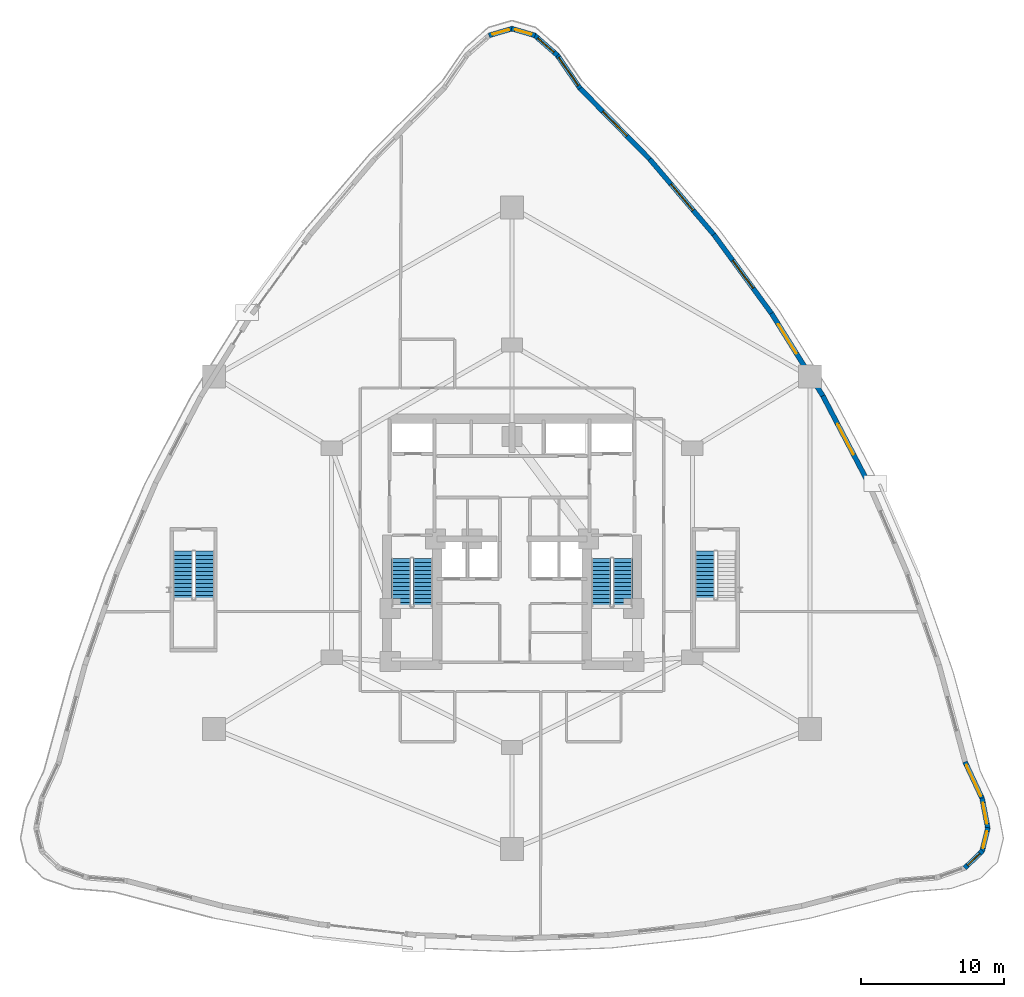
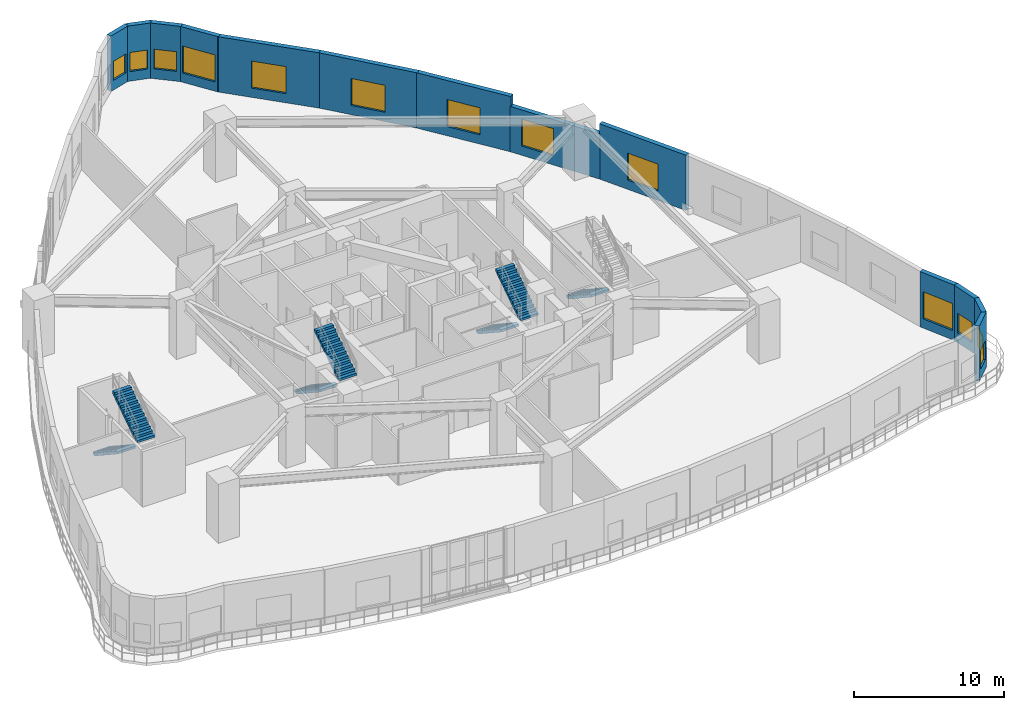
# One storey, part 18 of 23: 13 walls, 13 windows, 7 stair flights, 13 openings, 4 elements without a shape of their own.
"""IFC4 building model written with IfcOpenShell, lengths in metres."""

import ifcopenshell
import ifcopenshell.guid

model = None  # the IFC model being written
_history = None  # IfcOwnerHistory: only IFC2X3 demands one
_inside = {}  # id of a spatial element -> (the spatial element, [elements in it])
_under = {}  # id of a project, library or spatial element -> (it, [spatial elements below it])
_declared = {}  # id of a project -> (the project, [libraries it declares])
_typed = {}  # id of a type object -> (the type object, [elements of that type])
_made_of = {}  # id of a material, layer set ... -> (it, [elements and type objects made of it])


def new_model(schema):
    """Start an empty IFC model of exactly this schema.

    Asked for "IFC4X3", IfcOpenShell would pick the latest addendum, in which some entities
    have other attributes; the version numbers below select the first issue.
    IFC2X3 requires an IfcOwnerHistory on every rooted entity: one is made here for all.
    """
    global model, _history
    if schema == "IFC4X3":
        model = ifcopenshell.file(schema_version=(4, 3, 0, 0))
    else:
        model = ifcopenshell.file(schema=schema)
    _inside.clear()
    _under.clear()
    _declared.clear()
    _typed.clear()
    _made_of.clear()
    _history = None
    if model.schema == "IFC2X3":
        org = make("IfcOrganization", Name="unknown")
        user = make(
            "IfcPersonAndOrganization",
            ThePerson=make("IfcPerson", FamilyName="unknown"),
            TheOrganization=org,
        )
        app = make(
            "IfcApplication",
            ApplicationDeveloper=org,
            Version="unknown",
            ApplicationFullName="unknown",
            ApplicationIdentifier="unknown",
        )
        _history = make(
            "IfcOwnerHistory",
            OwningUser=user,
            OwningApplication=app,
            ChangeAction="ADDED",
            CreationDate=0,
        )
    return model


def make(cls, **values):
    """One entity of the class cls with the attributes given. An attribute that is None is left unset."""
    return model.create_entity(
        cls, **{name: value for name, value in values.items() if value is not None}
    )


def rooted(cls, **values):
    """An entity with a GlobalId (a new one), such as an element, a storey or a relation."""
    return make(cls, GlobalId=ifcopenshell.guid.new(), OwnerHistory=_history, **values)


def si_unit(unit_type, name, prefix=None):
    """IfcSIUnit, for example si_unit("LENGTHUNIT", "METRE", prefix="MILLI")."""
    return make("IfcSIUnit", UnitType=unit_type, Prefix=prefix, Name=name)


def assignment(units):
    """IfcUnitAssignment: the units of a project."""
    return None if units is None else make("IfcUnitAssignment", Units=units)


def point(xyz):
    """IfcCartesianPoint."""
    return None if xyz is None else make("IfcCartesianPoint", Coordinates=xyz)


def direction(xyz):
    """IfcDirection."""
    return None if xyz is None else make("IfcDirection", DirectionRatios=xyz)


def frame(location, z_axis=None, x_axis=None):
    """IfcAxis2Placement3D, a coordinate frame: its origin and axes. An axis left out is left unset."""
    return make(
        "IfcAxis2Placement3D",
        Location=point(location),
        Axis=direction(z_axis),
        RefDirection=direction(x_axis),
    )


def frame_2d(location, x_axis=None):
    """IfcAxis2Placement2D, a coordinate frame in the plane: its origin and x axis."""
    return make(
        "IfcAxis2Placement2D", Location=point(location), RefDirection=direction(x_axis)
    )


def origin():
    """The frame at (0, 0, 0) with its axes left unset."""
    return frame((0.0, 0.0, 0.0))


def place(relative_to, where):
    """IfcLocalPlacement: puts the frame where relative to a parent placement (None: the world)."""
    return make(
        "IfcLocalPlacement", PlacementRelTo=relative_to, RelativePlacement=where
    )


def context(
    kind, dimensions, precision=None, world=None, true_north=None, identifier=None
):
    """IfcGeometricRepresentationContext, for example the 3D "Model" context."""
    return make(
        "IfcGeometricRepresentationContext",
        ContextIdentifier=identifier,
        ContextType=kind,
        CoordinateSpaceDimension=dimensions,
        Precision=precision,
        WorldCoordinateSystem=world,
        TrueNorth=true_north,
    )


def subcontext(parent, identifier, kind, view, scale=None):
    """IfcGeometricRepresentationSubContext, for example "Body" below "Model"."""
    return make(
        "IfcGeometricRepresentationSubContext",
        ContextIdentifier=identifier,
        ContextType=kind,
        ParentContext=parent,
        TargetScale=scale,
        TargetView=view,
    )


def project(units=None, contexts=None):
    """IfcProject with its units and contexts."""
    return rooted(
        "IfcProject",
        Name="project",
        RepresentationContexts=contexts,
        UnitsInContext=assignment(units),
    )


def spatial(cls, under=None, at=None, **own):
    """A site, building, storey or space (cls), placed at a placement, below another one or the project."""
    s = rooted(cls, ObjectPlacement=at, **own)
    if under is not None:
        _under.setdefault(under.id(), (under, []))[1].append(s)
    return s


def polyline(points):
    """IfcPolyline through the points."""
    return make("IfcPolyline", Points=[point(p) for p in points])


def profile(cls, at=None, kind="AREA", **sizes):
    """A parametric profile (cls). Its sizes go by their IFC names, for example OverallWidth=200.0."""
    return make(cls, ProfileType=kind, Position=at, **sizes)


def rectangle(**sizes):
    """IfcRectangleProfileDef."""
    return profile("IfcRectangleProfileDef", **sizes)


def outline(outer, holes=None, kind="AREA"):
    """IfcArbitraryClosedProfileDef: a profile drawn as a closed curve; with holes, ...WithVoids."""
    if holes is None:
        return make("IfcArbitraryClosedProfileDef", ProfileType=kind, OuterCurve=outer)
    return make(
        "IfcArbitraryProfileDefWithVoids",
        ProfileType=kind,
        OuterCurve=outer,
        InnerCurves=holes,
    )


def extrude(swept, where, along, depth):
    """IfcExtrudedAreaSolid: the profile swept, set in the frame where, extruded along a direction by depth."""
    return make(
        "IfcExtrudedAreaSolid",
        SweptArea=swept,
        Position=where,
        ExtrudedDirection=direction(along),
        Depth=depth,
    )


def shape(context_of_items, identifier, shape_type, items):
    """IfcShapeRepresentation: the items that make up one representation, for example the "Body"."""
    return make(
        "IfcShapeRepresentation",
        ContextOfItems=context_of_items,
        RepresentationIdentifier=identifier,
        RepresentationType=shape_type,
        Items=items,
    )


def material(Name=None, Category=None):
    """IfcMaterial."""
    return make("IfcMaterial", Name=Name, Category=Category)


def layer(
    of_material, thickness, ventilated=None, Name=None, Category=None, Priority=None
):
    """IfcMaterialLayer: one layer of a wall or slab, of a material (None: an air gap)."""
    return make(
        "IfcMaterialLayer",
        Material=of_material,
        LayerThickness=thickness,
        IsVentilated=ventilated,
        Name=Name,
        Category=Category,
        Priority=Priority,
    )


def layer_set(layers, Name=None):
    """IfcMaterialLayerSet."""
    return make("IfcMaterialLayerSet", MaterialLayers=layers, LayerSetName=Name)


def made_of(thing, what):
    """Note that an element or type object is made of a material, layer set ...; save() writes the relation."""
    if what is not None:
        _made_of.setdefault(what.id(), (what, []))[1].append(thing)
    return thing


def type_object(cls, material=None, **own):
    """A type object (cls), such as IfcWallType, which elements share."""
    return made_of(rooted(cls, **own), material)


def element(
    cls,
    number,
    at=None,
    inside=None,
    cuts=None,
    type_object=None,
    material=None,
    context=None,
    identifier="Body",
    shape_type=None,
    held_by="IfcProductDefinitionShape",
    body=None,
    shapes=None,
    **own,
):
    """One element of the class cls, such as IfcWall. Its Tag is "e" and its number.

    at: its placement. inside: the storey or other place that contains it. cuts: it is an
    opening in that element (IfcRelVoidsElement). A single representation is given by context,
    identifier, shape_type and body (its items); several are given by shapes. held_by: the class
    of the entity that holds the representations. save() writes the other relations.
    """
    e = rooted(cls, Tag="e%d" % number, ObjectPlacement=at, **own)
    if body is not None:
        shapes = [shape(context, identifier, shape_type, body)]
    if shapes is not None:
        e.Representation = make(held_by, Representations=shapes)
    if inside is not None:
        _inside.setdefault(inside.id(), (inside, []))[1].append(e)
    if cuts is not None:
        rooted(
            "IfcRelVoidsElement", RelatingBuildingElement=cuts, RelatedOpeningElement=e
        )
    if type_object is not None:
        _typed.setdefault(type_object.id(), (type_object, []))[1].append(e)
    return made_of(e, material)


def fill(opening, filler):
    """IfcRelFillsElement: the door or window that sits in an opening."""
    return rooted(
        "IfcRelFillsElement",
        RelatingOpeningElement=opening,
        RelatedBuildingElement=filler,
    )


def aggregate(whole, parts):
    """IfcRelAggregates: a whole, such as a stair, and the parts it consists of."""
    return rooted("IfcRelAggregates", RelatingObject=whole, RelatedObjects=parts)


def save(model, path):
    """Write the relations noted so far, then the file.

    IfcRelAggregates (storeys below a building ...), IfcRelContainedInSpatialStructure (elements
    in a storey), IfcRelDefinesByType, IfcRelAssociatesMaterial and IfcRelDeclares: one each for
    every whole, place, type object, material and project.
    """
    for whole, parts in _under.values():
        aggregate(whole, parts)
    for where, things in _inside.values():
        rooted(
            "IfcRelContainedInSpatialStructure",
            RelatedElements=things,
            RelatingStructure=where,
        )
    for kind, things in _typed.values():
        rooted("IfcRelDefinesByType", RelatedObjects=things, RelatingType=kind)
    for what, things in _made_of.values():
        rooted("IfcRelAssociatesMaterial", RelatedObjects=things, RelatingMaterial=what)
    for by, libraries in _declared.values():
        rooted("IfcRelDeclares", RelatingContext=by, RelatedDefinitions=libraries)
    model.write(path)


model = new_model("IFC4")

# Units and contexts
model_context = context("Model", 3, precision=1e-05, world=origin(), true_north=direction((0.0, 1.0)))
body_context = subcontext(model_context, "Body", "Model", "MODEL_VIEW")
ifc_project = project(units=[si_unit("LENGTHUNIT", "METRE"), si_unit("AREAUNIT", "SQUARE_METRE"), si_unit("VOLUMEUNIT", "CUBIC_METRE"), si_unit("PLANEANGLEUNIT", "RADIAN"), si_unit("MASSUNIT", "GRAM", prefix="KILO")], contexts=[model_context])

# Site, building, storey
site_placement = place(None, origin())
site = spatial("IfcSite", under=ifc_project, at=site_placement, CompositionType="ELEMENT")
building_placement = place(site_placement, origin())
building = spatial("IfcBuilding", under=site, at=building_placement, Name="Miruveldt Soraemaru", CompositionType="ELEMENT")
storey_placement = place(building_placement, frame((0.0, 0.0, 14.39990234375)))
storey = spatial("IfcBuildingStorey", under=building, at=storey_placement, Name="L04", CompositionType="ELEMENT", Elevation=14.39990234375)

# Wall, opening, window
ifc_material_1 = material(Name="Precast concrete C45/55 (45 MPa)", Category="concrete")
ifc_layer = layer(ifc_material_1, 0.340087890625, Name="Precast concrete C45/55 (45 MPa)", Category="concrete")
ifc_layer_set = layer_set([ifc_layer], Name="Precast concrete C45/55 (45 MPa)")
wall_type = type_object("IfcWallType", Name="WALL-EXT-PC340", PredefinedType="SOLIDWALL", material=ifc_layer_set)
wall_1_placement = place(storey_placement, frame((48.748291015625, 75.519287109375, 0.0), z_axis=(0.0, 0.0, 1.0), x_axis=(-0.565657910094, 0.824639999484, 0.0)))
wall_1 = element("IfcWall", 1, at=wall_1_placement, inside=storey, type_object=wall_type, Name="L04 Precast Concrete Facade Wall 1", PredefinedType="SOLIDWALL", context=body_context, shape_type="SweptSolid", body=[
    extrude(rectangle(XDim=2.8564453125, YDim=0.340087890625, at=frame_2d((1.42822265625, 0.0))), origin(), (0.0, 0.0, 1.0), 4.5),
])
opening_1_placement = place(wall_1_placement, frame((0.22802734375, 0.0, 0.75)))
opening_1 = element("IfcOpeningElement", 2, at=opening_1_placement, cuts=wall_1, Name="Opening WN-5", PredefinedType="OPENING", context=body_context, shape_type="SweptSolid", body=[
    extrude(rectangle(XDim=2.39990234375, YDim=2.199951171875, at=frame_2d((1.199951171875, 1.10009765625))), frame((0.0, 0.18017578125, 0.0), z_axis=(0.0, -1.0, 0.0), x_axis=(1.0, 0.0, 0.0)), (0.0, 0.0, 1.0), 0.360107421875),
])
ifc_material_2 = material(Name="Triple low-e insulated glazing", Category="glass")
window_type_1 = type_object("IfcWindowType", Name="WIN-PODM-2400x2200", PartitioningType="SINGLE_PANEL", PredefinedType="WINDOW", material=ifc_material_2)
window_1_placement = place(opening_1_placement, origin())
window_1 = element("IfcWindow", 3, at=window_1_placement, inside=storey, type_object=window_type_1, Name="L04 Punched Triple-Glazed Window 01.1", OverallHeight=2.199951171875, OverallWidth=2.39990234375, PartitioningType="SINGLE_PANEL", PredefinedType="WINDOW", context=body_context, shape_type="SweptSolid", body=[
    extrude(rectangle(XDim=2.39990234375, YDim=2.199951171875, at=frame_2d((1.199951171875, 1.10009765625))), frame((0.0, 0.030029296875, 0.0), z_axis=(0.0, -1.0, 0.0), x_axis=(1.0, 0.0, 0.0)), (0.0, 0.0, 1.0), 0.06005859375),
])
fill(opening_1, window_1)

wall_2_placement = place(storey_placement, frame((47.1787109375, 77.82275390625, 0.0), z_axis=(0.0, 0.0, 1.0), x_axis=(-0.752688498537, 0.658376810171, 0.0)))
wall_2 = element("IfcWall", 4, at=wall_2_placement, inside=storey, type_object=wall_type, Name="L04 Precast Concrete Facade Wall 2", PredefinedType="SOLIDWALL", context=body_context, shape_type="SweptSolid", body=[
    extrude(rectangle(XDim=2.1640625, YDim=0.340087890625, at=frame_2d((1.08203125, 0.0))), origin(), (0.0, 0.0, 1.0), 4.5),
])
opening_2_placement = place(wall_2_placement, frame((0.33203125, 0.0, 0.800048828125)))
opening_2 = element("IfcOpeningElement", 5, at=opening_2_placement, cuts=wall_2, Name="Opening WN-3", PredefinedType="OPENING", context=body_context, shape_type="SweptSolid", body=[
    extrude(rectangle(XDim=1.5, YDim=1.60009765625, at=frame_2d((0.75, 0.800048828125))), frame((0.0, 0.18017578125, 0.0), z_axis=(0.0, -1.0, 0.0), x_axis=(1.0, 0.0, 0.0)), (0.0, 0.0, 1.0), 0.360107421875),
])
window_type_2 = type_object("IfcWindowType", Name="WIN-PUNCH-1500x1600", PartitioningType="SINGLE_PANEL", PredefinedType="WINDOW", material=ifc_material_2)
window_2_placement = place(opening_2_placement, origin())
window_2 = element("IfcWindow", 6, at=window_2_placement, inside=storey, type_object=window_type_2, Name="L04 Punched Triple-Glazed Window 02.1", OverallHeight=1.60009765625, OverallWidth=1.5, PartitioningType="SINGLE_PANEL", PredefinedType="WINDOW", context=body_context, shape_type="SweptSolid", body=[
    extrude(rectangle(XDim=1.5, YDim=1.60009765625, at=frame_2d((0.75, 0.800048828125))), frame((0.0, 0.030029296875, 0.0), z_axis=(0.0, -1.0, 0.0), x_axis=(1.0, 0.0, 0.0)), (0.0, 0.0, 1.0), 0.06005859375),
])
fill(opening_2, window_2)

wall_3_placement = place(storey_placement, frame((45.60986328125, 79.214599609375, 0.0), z_axis=(0.0, 0.0, 1.0), x_axis=(-0.960019163909, 0.279934286802, 0.0)))
wall_3 = element("IfcWall", 7, at=wall_3_placement, inside=storey, type_object=wall_type, Name="L04 Precast Concrete Facade Wall 3", PredefinedType="SOLIDWALL", context=body_context, shape_type="SweptSolid", body=[
    extrude(rectangle(XDim=1.7119140625, YDim=0.340087890625, at=frame_2d((0.85595703125, 0.0))), origin(), (0.0, 0.0, 1.0), 4.5),
])
opening_3_placement = place(wall_3_placement, frame((0.256103515625, 0.0, 0.780029296875)))
opening_3 = element("IfcOpeningElement", 8, at=opening_3_placement, cuts=wall_3, Name="Opening WN-4", PredefinedType="OPENING", context=body_context, shape_type="SweptSolid", body=[
    extrude(rectangle(XDim=1.199951171875, YDim=1.550048828125, at=frame_2d((0.60009765625, 0.77490234375))), frame((0.0, 0.18017578125, 0.0), z_axis=(0.0, -1.0, 0.0), x_axis=(1.0, 0.0, 0.0)), (0.0, 0.0, 1.0), 0.360107421875),
])
window_type_3 = type_object("IfcWindowType", Name="WIN-PUNCH-1200x1550", PartitioningType="SINGLE_PANEL", PredefinedType="WINDOW", material=ifc_material_2)
window_3_placement = place(opening_3_placement, origin())
window_3 = element("IfcWindow", 9, at=window_3_placement, inside=storey, type_object=window_type_3, Name="L04 Punched Triple-Glazed Window 03.1", OverallHeight=1.550048828125, OverallWidth=1.199951171875, PartitioningType="SINGLE_PANEL", PredefinedType="WINDOW", context=body_context, shape_type="SweptSolid", body=[
    extrude(rectangle(XDim=1.199951171875, YDim=1.550048828125, at=frame_2d((0.60009765625, 0.77490234375))), frame((0.0, 0.030029296875, 0.0), z_axis=(0.0, -1.0, 0.0), x_axis=(1.0, 0.0, 0.0)), (0.0, 0.0, 1.0), 0.06005859375),
])
fill(opening_3, window_3)

wall_4_placement = place(storey_placement, frame((44.03369140625, 79.69384765625, 0.0), z_axis=(0.0, 0.0, 1.0), x_axis=(-0.960019163909, -0.279934286802, 0.0)))
wall_4 = element("IfcWall", 10, at=wall_4_placement, inside=storey, type_object=wall_type, Name="L04 Precast Concrete Facade Wall 4", PredefinedType="SOLIDWALL", context=body_context, shape_type="SweptSolid", body=[
    extrude(rectangle(XDim=1.7119140625, YDim=0.340087890625, at=frame_2d((0.85595703125, 0.0))), origin(), (0.0, 0.0, 1.0), 4.5),
])
opening_4_placement = place(wall_4_placement, frame((0.256103515625, 0.0, 0.780029296875)))
opening_4 = element("IfcOpeningElement", 11, at=opening_4_placement, cuts=wall_4, Name="Opening WN-4", PredefinedType="OPENING", context=body_context, shape_type="SweptSolid", body=[
    extrude(rectangle(XDim=1.199951171875, YDim=1.550048828125, at=frame_2d((0.60009765625, 0.77490234375))), frame((0.0, 0.18017578125, 0.0), z_axis=(0.0, -1.0, 0.0), x_axis=(1.0, 0.0, 0.0)), (0.0, 0.0, 1.0), 0.360107421875),
])
window_4_placement = place(opening_4_placement, origin())
window_4 = element("IfcWindow", 12, at=window_4_placement, inside=storey, type_object=window_type_3, Name="L04 Punched Triple-Glazed Window 04.1", OverallHeight=1.550048828125, OverallWidth=1.199951171875, PartitioningType="SINGLE_PANEL", PredefinedType="WINDOW", context=body_context, shape_type="SweptSolid", body=[
    extrude(rectangle(XDim=1.199951171875, YDim=1.550048828125, at=frame_2d((0.60009765625, 0.77490234375))), frame((0.0, 0.030029296875, 0.0), z_axis=(0.0, -1.0, 0.0), x_axis=(1.0, 0.0, 0.0)), (0.0, 0.0, 1.0), 0.06005859375),
])
fill(opening_4, window_4)

wall_5_placement = place(storey_placement, frame((75.619384765625, 21.084716796875, 0.0), z_axis=(0.0, 0.0, 1.0), x_axis=(0.717121132922, 0.696948549548, 0.0)))
wall_5 = element("IfcWall", 13, at=wall_5_placement, inside=storey, type_object=wall_type, Name="L04 Precast Concrete Facade Wall 31", PredefinedType="SOLIDWALL", context=body_context, shape_type="SweptSolid", body=[
    extrude(rectangle(XDim=1.718505859375, YDim=0.340087890625, at=frame_2d((0.859375, 0.0))), origin(), (0.0, 0.0, 1.0), 4.5),
])
opening_5_placement = place(wall_5_placement, frame((0.259033203125, 0.0, 0.780029296875)))
opening_5 = element("IfcOpeningElement", 14, at=opening_5_placement, cuts=wall_5, Name="Opening WN-4", PredefinedType="OPENING", context=body_context, shape_type="SweptSolid", body=[
    extrude(rectangle(XDim=1.199951171875, YDim=1.550048828125, at=frame_2d((0.60009765625, 0.77490234375))), frame((0.0, 0.18017578125, 0.0), z_axis=(0.0, -1.0, 0.0), x_axis=(1.0, 0.0, 0.0)), (0.0, 0.0, 1.0), 0.360107421875),
])
window_5_placement = place(opening_5_placement, origin())
window_5 = element("IfcWindow", 15, at=window_5_placement, inside=storey, type_object=window_type_3, Name="L04 Punched Triple-Glazed Window 31.1", OverallHeight=1.550048828125, OverallWidth=1.199951171875, PartitioningType="SINGLE_PANEL", PredefinedType="WINDOW", context=body_context, shape_type="SweptSolid", body=[
    extrude(rectangle(XDim=1.199951171875, YDim=1.550048828125, at=frame_2d((0.60009765625, 0.77490234375))), frame((0.0, 0.030029296875, 0.0), z_axis=(0.0, -1.0, 0.0), x_axis=(1.0, 0.0, 0.0)), (0.0, 0.0, 1.0), 0.06005859375),
])
fill(opening_5, window_5)

wall_6_placement = place(storey_placement, frame((76.818359375, 22.22412109375, 0.0), z_axis=(0.0, 0.0, 1.0), x_axis=(0.23793954326, 0.971279966721, 0.0)))
wall_6 = element("IfcWall", 16, at=wall_6_placement, inside=storey, type_object=wall_type, Name="L04 Precast Concrete Facade Wall 32", PredefinedType="SOLIDWALL", context=body_context, shape_type="SweptSolid", body=[
    extrude(rectangle(XDim=1.725830078125, YDim=0.340087890625, at=frame_2d((0.86279296875, 0.0))), origin(), (0.0, 0.0, 1.0), 4.5),
])
opening_6_placement = place(wall_6_placement, frame((0.262939453125, 0.0, 0.780029296875)))
opening_6 = element("IfcOpeningElement", 17, at=opening_6_placement, cuts=wall_6, Name="Opening WN-4", PredefinedType="OPENING", context=body_context, shape_type="SweptSolid", body=[
    extrude(rectangle(XDim=1.199951171875, YDim=1.550048828125, at=frame_2d((0.60009765625, 0.77490234375))), frame((0.0, 0.18017578125, 0.0), z_axis=(0.0, -1.0, 0.0), x_axis=(1.0, 0.0, 0.0)), (0.0, 0.0, 1.0), 0.360107421875),
])
window_6_placement = place(opening_6_placement, origin())
window_6 = element("IfcWindow", 18, at=window_6_placement, inside=storey, type_object=window_type_3, Name="L04 Punched Triple-Glazed Window 32.1", OverallHeight=1.550048828125, OverallWidth=1.199951171875, PartitioningType="SINGLE_PANEL", PredefinedType="WINDOW", context=body_context, shape_type="SweptSolid", body=[
    extrude(rectangle(XDim=1.199951171875, YDim=1.550048828125, at=frame_2d((0.60009765625, 0.77490234375))), frame((0.0, 0.030029296875, 0.0), z_axis=(0.0, -1.0, 0.0), x_axis=(1.0, 0.0, 0.0)), (0.0, 0.0, 1.0), 0.06005859375),
])
fill(opening_6, window_6)

wall_7_placement = place(storey_placement, frame((77.227294921875, 23.83203125, 0.0), z_axis=(0.0, 0.0, 1.0), x_axis=(-0.187215259009, 0.982318912978, 0.0)))
wall_7 = element("IfcWall", 19, at=wall_7_placement, inside=storey, type_object=wall_type, Name="L04 Precast Concrete Facade Wall 33", PredefinedType="SOLIDWALL", context=body_context, shape_type="SweptSolid", body=[
    extrude(rectangle(XDim=2.17529296875, YDim=0.340087890625, at=frame_2d((1.087646484375, 0.0))), origin(), (0.0, 0.0, 1.0), 4.5),
])
opening_7_placement = place(wall_7_placement, frame((0.337890625, 0.0, 0.800048828125)))
opening_7 = element("IfcOpeningElement", 20, at=opening_7_placement, cuts=wall_7, Name="Opening WN-3", PredefinedType="OPENING", context=body_context, shape_type="SweptSolid", body=[
    extrude(rectangle(XDim=1.5, YDim=1.60009765625, at=frame_2d((0.75, 0.800048828125))), frame((0.0, 0.18017578125, 0.0), z_axis=(0.0, -1.0, 0.0), x_axis=(1.0, 0.0, 0.0)), (0.0, 0.0, 1.0), 0.360107421875),
])
window_7_placement = place(opening_7_placement, origin())
window_7 = element("IfcWindow", 21, at=window_7_placement, inside=storey, type_object=window_type_2, Name="L04 Punched Triple-Glazed Window 33.1", OverallHeight=1.60009765625, OverallWidth=1.5, PartitioningType="SINGLE_PANEL", PredefinedType="WINDOW", context=body_context, shape_type="SweptSolid", body=[
    extrude(rectangle(XDim=1.5, YDim=1.60009765625, at=frame_2d((0.75, 0.800048828125))), frame((0.0, 0.030029296875, 0.0), z_axis=(0.0, -1.0, 0.0), x_axis=(1.0, 0.0, 0.0)), (0.0, 0.0, 1.0), 0.06005859375),
])
fill(opening_7, window_7)

wall_8_placement = place(storey_placement, frame((76.841552734375, 25.902587890625, 0.0), z_axis=(0.0, 0.0, 1.0), x_axis=(-0.42360491042, 0.905847051035, 0.0)))
wall_8 = element("IfcWall", 22, at=wall_8_placement, inside=storey, type_object=wall_type, Name="L04 Precast Concrete Facade Wall 34", PredefinedType="SOLIDWALL", context=body_context, shape_type="SweptSolid", body=[
    extrude(rectangle(XDim=2.8603515625, YDim=0.340087890625, at=frame_2d((1.43017578125, 0.0))), origin(), (0.0, 0.0, 1.0), 4.5),
])
opening_8_placement = place(wall_8_placement, frame((0.22998046875, 0.0, 0.75)))
opening_8 = element("IfcOpeningElement", 23, at=opening_8_placement, cuts=wall_8, Name="Opening WN-5", PredefinedType="OPENING", context=body_context, shape_type="SweptSolid", body=[
    extrude(rectangle(XDim=2.39990234375, YDim=2.199951171875, at=frame_2d((1.199951171875, 1.10009765625))), frame((0.0, 0.18017578125, 0.0), z_axis=(0.0, -1.0, 0.0), x_axis=(1.0, 0.0, 0.0)), (0.0, 0.0, 1.0), 0.360107421875),
])
window_8_placement = place(opening_8_placement, origin())
window_8 = element("IfcWindow", 24, at=window_8_placement, inside=storey, type_object=window_type_1, Name="L04 Punched Triple-Glazed Window 34.1", OverallHeight=2.199951171875, OverallWidth=2.39990234375, PartitioningType="SINGLE_PANEL", PredefinedType="WINDOW", context=body_context, shape_type="SweptSolid", body=[
    extrude(rectangle(XDim=2.39990234375, YDim=2.199951171875, at=frame_2d((1.199951171875, 1.10009765625))), frame((0.0, 0.030029296875, 0.0), z_axis=(0.0, -1.0, 0.0), x_axis=(1.0, 0.0, 0.0)), (0.0, 0.0, 1.0), 0.06005859375),
])
fill(opening_8, window_8)

wall_9_placement = place(storey_placement, frame((68.8779296875, 47.980712890625, 0.0), z_axis=(0.0, 0.0, 1.0), x_axis=(-0.463368013034, 0.886165946365, 0.0)))
wall_9 = element("IfcWall", 25, at=wall_9_placement, inside=storey, type_object=wall_type, Name="L04 Precast Concrete Facade Wall 38", PredefinedType="SOLIDWALL", context=body_context, shape_type="SweptSolid", body=[
    extrude(rectangle(XDim=6.854248046875, YDim=0.340087890625, at=frame_2d((3.42724609375, 0.0))), origin(), (0.0, 0.0, 1.0), 4.5),
])
opening_9_placement = place(wall_9_placement, frame((2.22705078125, 0.0, 0.75)))
opening_9 = element("IfcOpeningElement", 26, at=opening_9_placement, cuts=wall_9, Name="Opening WN-5", PredefinedType="OPENING", context=body_context, shape_type="SweptSolid", body=[
    extrude(rectangle(XDim=2.39990234375, YDim=2.199951171875, at=frame_2d((1.199951171875, 1.10009765625))), frame((0.0, 0.18017578125, 0.0), z_axis=(0.0, -1.0, 0.0), x_axis=(1.0, 0.0, 0.0)), (0.0, 0.0, 1.0), 0.360107421875),
])
window_9_placement = place(opening_9_placement, origin())
window_9 = element("IfcWindow", 27, at=window_9_placement, inside=storey, type_object=window_type_1, Name="L04 Punched Triple-Glazed Window 38.1", OverallHeight=2.199951171875, OverallWidth=2.39990234375, PartitioningType="SINGLE_PANEL", PredefinedType="WINDOW", context=body_context, shape_type="SweptSolid", body=[
    extrude(rectangle(XDim=2.39990234375, YDim=2.199951171875, at=frame_2d((1.199951171875, 1.10009765625))), frame((0.0, 0.030029296875, 0.0), z_axis=(0.0, -1.0, 0.0), x_axis=(1.0, 0.0, 0.0)), (0.0, 0.0, 1.0), 0.06005859375),
])
fill(opening_9, window_9)

wall_10_placement = place(storey_placement, frame((65.736572265625, 53.993896484375, 0.0), z_axis=(0.0, 0.0, 1.0), x_axis=(-0.528464497626, 0.848955402097, 0.0)))
wall_10 = element("IfcWall", 28, at=wall_10_placement, inside=storey, type_object=wall_type, Name="L04 Precast Concrete Facade Wall 39", PredefinedType="SOLIDWALL", context=body_context, shape_type="SweptSolid", body=[
    extrude(rectangle(XDim=6.8544921875, YDim=0.340087890625, at=frame_2d((3.42724609375, 0.0))), origin(), (0.0, 0.0, 1.0), 3.68798828125),
])
opening_10_placement = place(wall_10_placement, frame((3.555908203125, 0.0, 0.75)))
opening_10 = element("IfcOpeningElement", 29, at=opening_10_placement, cuts=wall_10, Name="Opening WN-5", PredefinedType="OPENING", context=body_context, shape_type="SweptSolid", body=[
    extrude(rectangle(XDim=2.39990234375, YDim=2.199951171875, at=frame_2d((1.199951171875, 1.10009765625))), frame((0.0, 0.18017578125, 0.0), z_axis=(0.0, -1.0, 0.0), x_axis=(1.0, 0.0, 0.0)), (0.0, 0.0, 1.0), 0.360107421875),
])
window_10_placement = place(opening_10_placement, origin())
window_10 = element("IfcWindow", 30, at=window_10_placement, inside=storey, type_object=window_type_1, Name="L04 Punched Triple-Glazed Window 39.1", OverallHeight=2.199951171875, OverallWidth=2.39990234375, PartitioningType="SINGLE_PANEL", PredefinedType="WINDOW", context=body_context, shape_type="SweptSolid", body=[
    extrude(rectangle(XDim=2.39990234375, YDim=2.199951171875, at=frame_2d((1.199951171875, 1.10009765625))), frame((0.0, 0.030029296875, 0.0), z_axis=(0.0, -1.0, 0.0), x_axis=(1.0, 0.0, 0.0)), (0.0, 0.0, 1.0), 0.06005859375),
])
fill(opening_10, window_10)

wall_11_placement = place(storey_placement, frame((62.153564453125, 59.7548828125, 0.0), z_axis=(0.0, 0.0, 1.0), x_axis=(-0.590219054209, 0.807243128214, 0.0)))
wall_11 = element("IfcWall", 31, at=wall_11_placement, inside=storey, type_object=wall_type, Name="L04 Precast Concrete Facade Wall 40", PredefinedType="SOLIDWALL", context=body_context, shape_type="SweptSolid", body=[
    extrude(rectangle(XDim=6.892578125, YDim=0.340087890625, at=frame_2d((3.4462890625, 0.0))), origin(), (0.0, 0.0, 1.0), 4.5),
])
opening_11_placement = place(wall_11_placement, frame((2.24609375, 0.0, 0.75)))
opening_11 = element("IfcOpeningElement", 32, at=opening_11_placement, cuts=wall_11, Name="Opening WN-5", PredefinedType="OPENING", context=body_context, shape_type="SweptSolid", body=[
    extrude(rectangle(XDim=2.39990234375, YDim=2.199951171875, at=frame_2d((1.199951171875, 1.10009765625))), frame((0.0, 0.18017578125, 0.0), z_axis=(0.0, -1.0, 0.0), x_axis=(1.0, 0.0, 0.0)), (0.0, 0.0, 1.0), 0.360107421875),
])
window_11_placement = place(opening_11_placement, origin())
window_11 = element("IfcWindow", 33, at=window_11_placement, inside=storey, type_object=window_type_1, Name="L04 Punched Triple-Glazed Window 40.1", OverallHeight=2.199951171875, OverallWidth=2.39990234375, PartitioningType="SINGLE_PANEL", PredefinedType="WINDOW", context=body_context, shape_type="SweptSolid", body=[
    extrude(rectangle(XDim=2.39990234375, YDim=2.199951171875, at=frame_2d((1.199951171875, 1.10009765625))), frame((0.0, 0.030029296875, 0.0), z_axis=(0.0, -1.0, 0.0), x_axis=(1.0, 0.0, 0.0)), (0.0, 0.0, 1.0), 0.06005859375),
])
fill(opening_11, window_11)

wall_12_placement = place(storey_placement, frame((58.12890625, 65.263916015625, 0.0), z_axis=(0.0, 0.0, 1.0), x_axis=(-0.6477796117, 0.761827785439, 0.0)))
wall_12 = element("IfcWall", 34, at=wall_12_placement, inside=storey, type_object=wall_type, Name="L04 Precast Concrete Facade Wall 41", PredefinedType="SOLIDWALL", context=body_context, shape_type="SweptSolid", body=[
    extrude(rectangle(XDim=6.968017578125, YDim=0.340087890625, at=frame_2d((3.48388671875, 0.0))), origin(), (0.0, 0.0, 1.0), 4.5),
])
opening_12_placement = place(wall_12_placement, frame((2.283935546875, 0.0, 0.75)))
opening_12 = element("IfcOpeningElement", 35, at=opening_12_placement, cuts=wall_12, Name="Opening WN-5", PredefinedType="OPENING", context=body_context, shape_type="SweptSolid", body=[
    extrude(rectangle(XDim=2.39990234375, YDim=2.199951171875, at=frame_2d((1.199951171875, 1.10009765625))), frame((0.0, 0.18017578125, 0.0), z_axis=(0.0, -1.0, 0.0), x_axis=(1.0, 0.0, 0.0)), (0.0, 0.0, 1.0), 0.360107421875),
])
window_12_placement = place(opening_12_placement, origin())
window_12 = element("IfcWindow", 36, at=window_12_placement, inside=storey, type_object=window_type_1, Name="L04 Punched Triple-Glazed Window 41.1", OverallHeight=2.199951171875, OverallWidth=2.39990234375, PartitioningType="SINGLE_PANEL", PredefinedType="WINDOW", context=body_context, shape_type="SweptSolid", body=[
    extrude(rectangle(XDim=2.39990234375, YDim=2.199951171875, at=frame_2d((1.199951171875, 1.10009765625))), frame((0.0, 0.030029296875, 0.0), z_axis=(0.0, -1.0, 0.0), x_axis=(1.0, 0.0, 0.0)), (0.0, 0.0, 1.0), 0.06005859375),
])
fill(opening_12, window_12)

wall_13_placement = place(storey_placement, frame((53.66259765625, 70.5205078125, 0.0), z_axis=(0.0, 0.0, 1.0), x_axis=(-0.700436812806, 0.713714418564, 0.0)))
wall_13 = element("IfcWall", 37, at=wall_13_placement, inside=storey, type_object=wall_type, Name="L04 Precast Concrete Facade Wall 42", PredefinedType="SOLIDWALL", context=body_context, shape_type="SweptSolid", body=[
    extrude(rectangle(XDim=7.0791015625, YDim=0.340087890625, at=frame_2d((3.53955078125, 0.0))), origin(), (0.0, 0.0, 1.0), 4.5),
])
opening_13_placement = place(wall_13_placement, frame((2.340087890625, 0.0, 0.75)))
opening_13 = element("IfcOpeningElement", 38, at=opening_13_placement, cuts=wall_13, Name="Opening WN-5", PredefinedType="OPENING", context=body_context, shape_type="SweptSolid", body=[
    extrude(rectangle(XDim=2.39990234375, YDim=2.199951171875, at=frame_2d((1.199951171875, 1.10009765625))), frame((0.0, 0.18017578125, 0.0), z_axis=(0.0, -1.0, 0.0), x_axis=(1.0, 0.0, 0.0)), (0.0, 0.0, 1.0), 0.360107421875),
])
window_13_placement = place(opening_13_placement, origin())
window_13 = element("IfcWindow", 39, at=window_13_placement, inside=storey, type_object=window_type_1, Name="L04 Punched Triple-Glazed Window 42.1", OverallHeight=2.199951171875, OverallWidth=2.39990234375, PartitioningType="SINGLE_PANEL", PredefinedType="WINDOW", context=body_context, shape_type="SweptSolid", body=[
    extrude(rectangle(XDim=2.39990234375, YDim=2.199951171875, at=frame_2d((1.199951171875, 1.10009765625))), frame((0.0, 0.030029296875, 0.0), z_axis=(0.0, -1.0, 0.0), x_axis=(1.0, 0.0, 0.0)), (0.0, 0.0, 1.0), 0.06005859375),
])
fill(opening_13, window_13)

# Stair, stair flights
ifc_material_3 = material(Name="Concrete C40/50 (40 MPa)", Category="concrete")
stair_type_1 = type_object("IfcStairType", Name="STAIR-DL-480", PredefinedType="HALF_TURN_STAIR", material=ifc_material_3)
stair_1_placement = place(storey_placement, origin())
stair_1 = element("IfcStair", 40, at=stair_1_placement, inside=storey, type_object=stair_type_1, Name="L04 Protected Exit Stair ST-1", PredefinedType="HALF_TURN_STAIR")
stair_flight_type_1 = type_object("IfcStairFlightType", Name="SFL-DL-480", PredefinedType="STRAIGHT", material=ifc_material_3)
stair_flight_1_placement = place(storey_placement, frame((36.27490234375, 42.699951171875, 0.0), z_axis=(0.0, 0.0, 1.0), x_axis=(0.0, -1.0, 0.0)))
stair_flight_1 = element("IfcStairFlight", 41, at=stair_flight_1_placement, type_object=stair_flight_type_1, Name="ST-1 flight 1", NumberOfRisers=13, NumberOfTreads=12, PredefinedType="STRAIGHT", RiserHeight=0.184615385, TreadLength=0.28, context=body_context, shape_type="SweptSolid", body=[
    extrude(outline(polyline([(0.0, 0.0), (0.0, 0.1845703125), (0.280029296875, 0.1845703125), (0.280029296875, 0.369140625), (0.56005859375, 0.369140625), (0.56005859375, 0.553955078125), (0.840087890625, 0.553955078125), (0.840087890625, 0.738525390625), (1.1201171875, 0.738525390625), (1.1201171875, 0.923095703125), (1.39990234375, 0.923095703125), (1.39990234375, 1.107666015625), (1.679931640625, 1.107666015625), (1.679931640625, 1.292236328125), (1.9599609375, 1.292236328125), (1.9599609375, 1.476806640625), (2.239990234375, 1.476806640625), (2.239990234375, 1.66162109375), (2.52001953125, 1.66162109375), (2.52001953125, 1.84619140625), (2.800048828125, 1.84619140625), (2.800048828125, 2.03076171875), (3.080078125, 2.03076171875), (3.080078125, 2.21533203125), (3.360107421875, 2.21533203125), (3.360107421875, 2.39990234375), (3.360107421875, 2.02392578125), (0.29052734375, 0.0), (0.0, 0.0)])), frame((0.0, 0.675048828125, 0.0), z_axis=(0.0, -1.0, 0.0), x_axis=(1.0, 0.0, 0.0)), (0.0, 0.0, 1.0), 1.35009765625),
])
stair_flight_2_placement = place(storey_placement, frame((37.77490234375, 39.340087890625, 2.400146484375), z_axis=(0.0, 0.0, 1.0), x_axis=(0.0, 1.0, 0.0)))
stair_flight_2 = element("IfcStairFlight", 42, at=stair_flight_2_placement, type_object=stair_flight_type_1, Name="ST-1 flight 2", NumberOfRisers=13, NumberOfTreads=12, PredefinedType="STRAIGHT", RiserHeight=0.184615385, TreadLength=0.28, context=body_context, shape_type="SweptSolid", body=[
    extrude(outline(polyline([(0.0, 0.0), (0.0, 0.1845703125), (0.280029296875, 0.1845703125), (0.280029296875, 0.369140625), (0.56005859375, 0.369140625), (0.56005859375, 0.553955078125), (0.840087890625, 0.553955078125), (0.840087890625, 0.738525390625), (1.1201171875, 0.738525390625), (1.1201171875, 0.923095703125), (1.39990234375, 0.923095703125), (1.39990234375, 1.107666015625), (1.679931640625, 1.107666015625), (1.679931640625, 1.292236328125), (1.9599609375, 1.292236328125), (1.9599609375, 1.476806640625), (2.239990234375, 1.476806640625), (2.239990234375, 1.66162109375), (2.52001953125, 1.66162109375), (2.52001953125, 1.84619140625), (2.800048828125, 1.84619140625), (2.800048828125, 2.03076171875), (3.080078125, 2.03076171875), (3.080078125, 2.21533203125), (3.360107421875, 2.21533203125), (3.360107421875, 2.39990234375), (3.360107421875, 2.02392578125), (0.29052734375, 0.0), (0.0, 0.0)])), frame((0.0, 0.675048828125, 0.0), z_axis=(0.0, -1.0, 0.0), x_axis=(1.0, 0.0, 0.0)), (0.0, 0.0, 1.0), 1.35009765625),
])
aggregate(stair_1, [stair_flight_1, stair_flight_2])

stair_2_placement = place(storey_placement, origin())
stair_2 = element("IfcStair", 43, at=stair_2_placement, inside=storey, type_object=stair_type_1, Name="L04 Protected Exit Stair ST-2", PredefinedType="HALF_TURN_STAIR")
stair_flight_3_placement = place(storey_placement, frame((50.22509765625, 42.699951171875, 0.0), z_axis=(0.0, 0.0, 1.0), x_axis=(0.0, -1.0, 0.0)))
stair_flight_3 = element("IfcStairFlight", 44, at=stair_flight_3_placement, type_object=stair_flight_type_1, Name="ST-2 flight 1", NumberOfRisers=13, NumberOfTreads=12, PredefinedType="STRAIGHT", RiserHeight=0.184615385, TreadLength=0.28, context=body_context, shape_type="SweptSolid", body=[
    extrude(outline(polyline([(0.0, 0.0), (0.0, 0.1845703125), (0.280029296875, 0.1845703125), (0.280029296875, 0.369140625), (0.56005859375, 0.369140625), (0.56005859375, 0.553955078125), (0.840087890625, 0.553955078125), (0.840087890625, 0.738525390625), (1.1201171875, 0.738525390625), (1.1201171875, 0.923095703125), (1.39990234375, 0.923095703125), (1.39990234375, 1.107666015625), (1.679931640625, 1.107666015625), (1.679931640625, 1.292236328125), (1.9599609375, 1.292236328125), (1.9599609375, 1.476806640625), (2.239990234375, 1.476806640625), (2.239990234375, 1.66162109375), (2.52001953125, 1.66162109375), (2.52001953125, 1.84619140625), (2.800048828125, 1.84619140625), (2.800048828125, 2.03076171875), (3.080078125, 2.03076171875), (3.080078125, 2.21533203125), (3.360107421875, 2.21533203125), (3.360107421875, 2.39990234375), (3.360107421875, 2.02392578125), (0.29052734375, 0.0), (0.0, 0.0)])), frame((0.0, 0.675048828125, 0.0), z_axis=(0.0, -1.0, 0.0), x_axis=(1.0, 0.0, 0.0)), (0.0, 0.0, 1.0), 1.35009765625),
])
stair_flight_4_placement = place(storey_placement, frame((51.72509765625, 39.340087890625, 2.400146484375), z_axis=(0.0, 0.0, 1.0), x_axis=(0.0, 1.0, 0.0)))
stair_flight_4 = element("IfcStairFlight", 45, at=stair_flight_4_placement, type_object=stair_flight_type_1, Name="ST-2 flight 2", NumberOfRisers=13, NumberOfTreads=12, PredefinedType="STRAIGHT", RiserHeight=0.184615385, TreadLength=0.28, context=body_context, shape_type="SweptSolid", body=[
    extrude(outline(polyline([(0.0, 0.0), (0.0, 0.1845703125), (0.280029296875, 0.1845703125), (0.280029296875, 0.369140625), (0.56005859375, 0.369140625), (0.56005859375, 0.553955078125), (0.840087890625, 0.553955078125), (0.840087890625, 0.738525390625), (1.1201171875, 0.738525390625), (1.1201171875, 0.923095703125), (1.39990234375, 0.923095703125), (1.39990234375, 1.107666015625), (1.679931640625, 1.107666015625), (1.679931640625, 1.292236328125), (1.9599609375, 1.292236328125), (1.9599609375, 1.476806640625), (2.239990234375, 1.476806640625), (2.239990234375, 1.66162109375), (2.52001953125, 1.66162109375), (2.52001953125, 1.84619140625), (2.800048828125, 1.84619140625), (2.800048828125, 2.03076171875), (3.080078125, 2.03076171875), (3.080078125, 2.21533203125), (3.360107421875, 2.21533203125), (3.360107421875, 2.39990234375), (3.360107421875, 2.02392578125), (0.29052734375, 0.0), (0.0, 0.0)])), frame((0.0, 0.675048828125, 0.0), z_axis=(0.0, -1.0, 0.0), x_axis=(1.0, 0.0, 0.0)), (0.0, 0.0, 1.0), 1.35009765625),
])
aggregate(stair_2, [stair_flight_3, stair_flight_4])

stair_3_placement = place(storey_placement, origin())
stair_3 = element("IfcStair", 46, at=stair_3_placement, inside=storey, type_object=stair_type_1, Name="L04 Podium Protected Exit Stair ST-3", PredefinedType="HALF_TURN_STAIR")
stair_flight_5_placement = place(storey_placement, frame((21.02490234375, 43.199951171875, 0.0), z_axis=(0.0, 0.0, 1.0), x_axis=(0.0, -1.0, 0.0)))
stair_flight_5 = element("IfcStairFlight", 47, at=stair_flight_5_placement, type_object=stair_flight_type_1, Name="ST-3 flight 1", NumberOfRisers=13, NumberOfTreads=12, PredefinedType="STRAIGHT", RiserHeight=0.184615385, TreadLength=0.28, context=body_context, shape_type="SweptSolid", body=[
    extrude(outline(polyline([(0.0, 0.0), (0.0, 0.1845703125), (0.280029296875, 0.1845703125), (0.280029296875, 0.369140625), (0.56005859375, 0.369140625), (0.56005859375, 0.553955078125), (0.840087890625, 0.553955078125), (0.840087890625, 0.738525390625), (1.1201171875, 0.738525390625), (1.1201171875, 0.923095703125), (1.39990234375, 0.923095703125), (1.39990234375, 1.107666015625), (1.679931640625, 1.107666015625), (1.679931640625, 1.292236328125), (1.9599609375, 1.292236328125), (1.9599609375, 1.476806640625), (2.239990234375, 1.476806640625), (2.239990234375, 1.66162109375), (2.52001953125, 1.66162109375), (2.52001953125, 1.84619140625), (2.800048828125, 1.84619140625), (2.800048828125, 2.03076171875), (3.080078125, 2.03076171875), (3.080078125, 2.21533203125), (3.360107421875, 2.21533203125), (3.360107421875, 2.39990234375), (3.360107421875, 2.02392578125), (0.29052734375, 0.0), (0.0, 0.0)])), frame((0.0, 0.675048828125, 0.0), z_axis=(0.0, -1.0, 0.0), x_axis=(1.0, 0.0, 0.0)), (0.0, 0.0, 1.0), 1.35009765625),
])
stair_flight_6_placement = place(storey_placement, frame((22.52490234375, 39.840087890625, 2.400146484375), z_axis=(0.0, 0.0, 1.0), x_axis=(0.0, 1.0, 0.0)))
stair_flight_6 = element("IfcStairFlight", 48, at=stair_flight_6_placement, type_object=stair_flight_type_1, Name="ST-3 flight 2", NumberOfRisers=13, NumberOfTreads=12, PredefinedType="STRAIGHT", RiserHeight=0.184615385, TreadLength=0.28, context=body_context, shape_type="SweptSolid", body=[
    extrude(outline(polyline([(0.0, 0.0), (0.0, 0.1845703125), (0.280029296875, 0.1845703125), (0.280029296875, 0.369140625), (0.56005859375, 0.369140625), (0.56005859375, 0.553955078125), (0.840087890625, 0.553955078125), (0.840087890625, 0.738525390625), (1.1201171875, 0.738525390625), (1.1201171875, 0.923095703125), (1.39990234375, 0.923095703125), (1.39990234375, 1.107666015625), (1.679931640625, 1.107666015625), (1.679931640625, 1.292236328125), (1.9599609375, 1.292236328125), (1.9599609375, 1.476806640625), (2.239990234375, 1.476806640625), (2.239990234375, 1.66162109375), (2.52001953125, 1.66162109375), (2.52001953125, 1.84619140625), (2.800048828125, 1.84619140625), (2.800048828125, 2.03076171875), (3.080078125, 2.03076171875), (3.080078125, 2.21533203125), (3.360107421875, 2.21533203125), (3.360107421875, 2.39990234375), (3.360107421875, 2.02392578125), (0.29052734375, 0.0), (0.0, 0.0)])), frame((0.0, 0.675048828125, 0.0), z_axis=(0.0, -1.0, 0.0), x_axis=(1.0, 0.0, 0.0)), (0.0, 0.0, 1.0), 1.35009765625),
])
aggregate(stair_3, [stair_flight_5, stair_flight_6])

# Stair, stair flight
ifc_material_4 = material(Name="Steel S355 (355 MPa)", Category="steel")
stair_type_2 = type_object("IfcStairType", Name="STAIR-FEAT-STR", PredefinedType="TWO_STRAIGHT_RUN_STAIR", material=ifc_material_4)
stair_4_placement = place(storey_placement, origin())
stair_4 = element("IfcStair", 49, at=stair_4_placement, inside=storey, type_object=stair_type_2, Name="L04 Podium Garden Feature Stair ST-4", PredefinedType="TWO_STRAIGHT_RUN_STAIR")
stair_flight_type_2 = type_object("IfcStairFlightType", Name="SFL-FEAT-STR", PredefinedType="STRAIGHT", material=ifc_material_4)
stair_flight_7_placement = place(storey_placement, frame((57.47509765625, 43.199951171875, 0.0), z_axis=(0.0, 0.0, 1.0), x_axis=(0.0, -1.0, 0.0)))
stair_flight_7 = element("IfcStairFlight", 50, at=stair_flight_7_placement, type_object=stair_flight_type_2, Name="ST-4 flight 1", NumberOfRisers=13, NumberOfTreads=12, PredefinedType="STRAIGHT", RiserHeight=0.184615385, TreadLength=0.28, context=body_context, shape_type="SweptSolid", body=[
    extrude(outline(polyline([(0.0, 0.0), (0.0, 0.1845703125), (0.280029296875, 0.1845703125), (0.280029296875, 0.369140625), (0.56005859375, 0.369140625), (0.56005859375, 0.553955078125), (0.840087890625, 0.553955078125), (0.840087890625, 0.738525390625), (1.1201171875, 0.738525390625), (1.1201171875, 0.923095703125), (1.39990234375, 0.923095703125), (1.39990234375, 1.107666015625), (1.679931640625, 1.107666015625), (1.679931640625, 1.292236328125), (1.9599609375, 1.292236328125), (1.9599609375, 1.476806640625), (2.239990234375, 1.476806640625), (2.239990234375, 1.66162109375), (2.52001953125, 1.66162109375), (2.52001953125, 1.84619140625), (2.800048828125, 1.84619140625), (2.800048828125, 2.03076171875), (3.080078125, 2.03076171875), (3.080078125, 2.21533203125), (3.360107421875, 2.21533203125), (3.360107421875, 2.39990234375), (3.360107421875, 2.02392578125), (0.29052734375, 0.0), (0.0, 0.0)])), frame((0.0, 0.675048828125, 0.0), z_axis=(0.0, -1.0, 0.0), x_axis=(1.0, 0.0, 0.0)), (0.0, 0.0, 1.0), 1.35009765625),
])
aggregate(stair_4, [stair_flight_7])

save(model, "model.ifc")
